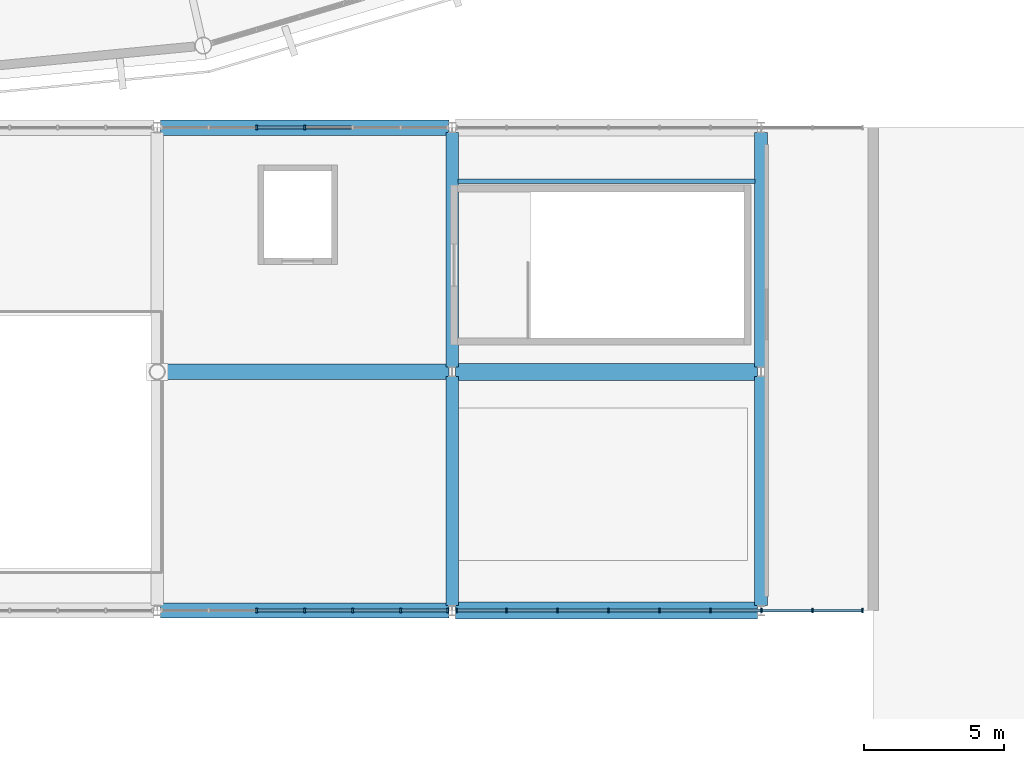
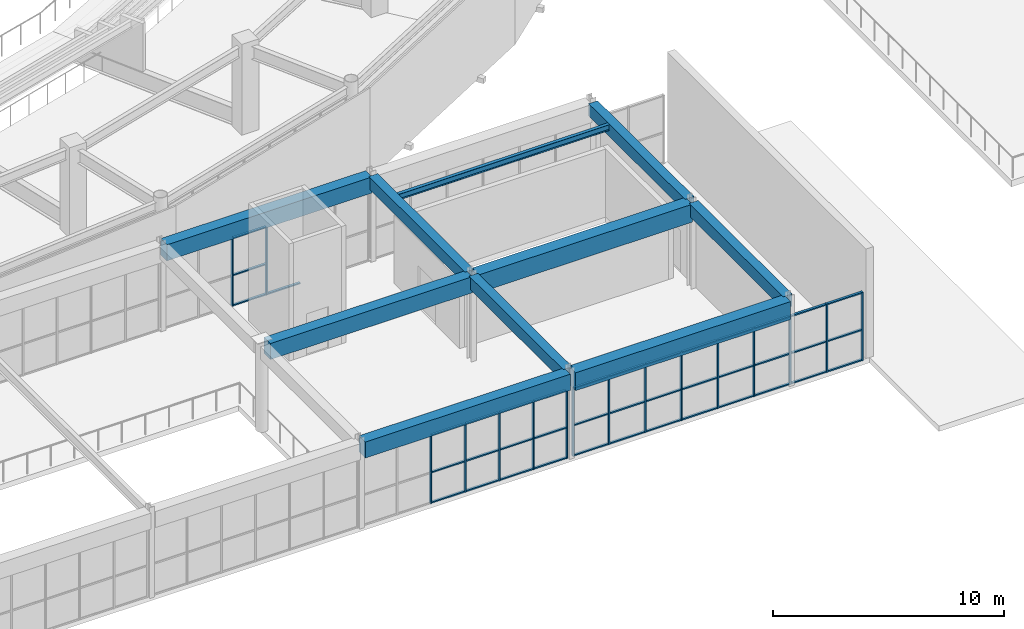
# One storey, part 35 of 122: 56 members, 10 beams, 3 elements without a shape of their own.
"""IFC4 building model written with IfcOpenShell, lengths in metres."""

import ifcopenshell
import ifcopenshell.guid

model = None  # the IFC model being written
_history = None  # IfcOwnerHistory: only IFC2X3 demands one
_inside = {}  # id of a spatial element -> (the spatial element, [elements in it])
_under = {}  # id of a project, library or spatial element -> (it, [spatial elements below it])
_declared = {}  # id of a project -> (the project, [libraries it declares])
_typed = {}  # id of a type object -> (the type object, [elements of that type])
_made_of = {}  # id of a material, layer set ... -> (it, [elements and type objects made of it])


def new_model(schema):
    """Start an empty IFC model of exactly this schema.

    Asked for "IFC4X3", IfcOpenShell would pick the latest addendum, in which some entities
    have other attributes; the version numbers below select the first issue.
    IFC2X3 requires an IfcOwnerHistory on every rooted entity: one is made here for all.
    """
    global model, _history
    if schema == "IFC4X3":
        model = ifcopenshell.file(schema_version=(4, 3, 0, 0))
    else:
        model = ifcopenshell.file(schema=schema)
    _inside.clear()
    _under.clear()
    _declared.clear()
    _typed.clear()
    _made_of.clear()
    _history = None
    if model.schema == "IFC2X3":
        org = make("IfcOrganization", Name="unknown")
        user = make(
            "IfcPersonAndOrganization",
            ThePerson=make("IfcPerson", FamilyName="unknown"),
            TheOrganization=org,
        )
        app = make(
            "IfcApplication",
            ApplicationDeveloper=org,
            Version="unknown",
            ApplicationFullName="unknown",
            ApplicationIdentifier="unknown",
        )
        _history = make(
            "IfcOwnerHistory",
            OwningUser=user,
            OwningApplication=app,
            ChangeAction="ADDED",
            CreationDate=0,
        )
    return model


def make(cls, **values):
    """One entity of the class cls with the attributes given. An attribute that is None is left unset."""
    return model.create_entity(
        cls, **{name: value for name, value in values.items() if value is not None}
    )


def rooted(cls, **values):
    """An entity with a GlobalId (a new one), such as an element, a storey or a relation."""
    return make(cls, GlobalId=ifcopenshell.guid.new(), OwnerHistory=_history, **values)


def si_unit(unit_type, name, prefix=None):
    """IfcSIUnit, for example si_unit("LENGTHUNIT", "METRE", prefix="MILLI")."""
    return make("IfcSIUnit", UnitType=unit_type, Prefix=prefix, Name=name)


def assignment(units):
    """IfcUnitAssignment: the units of a project."""
    return None if units is None else make("IfcUnitAssignment", Units=units)


def point(xyz):
    """IfcCartesianPoint."""
    return None if xyz is None else make("IfcCartesianPoint", Coordinates=xyz)


def direction(xyz):
    """IfcDirection."""
    return None if xyz is None else make("IfcDirection", DirectionRatios=xyz)


def frame(location, z_axis=None, x_axis=None):
    """IfcAxis2Placement3D, a coordinate frame: its origin and axes. An axis left out is left unset."""
    return make(
        "IfcAxis2Placement3D",
        Location=point(location),
        Axis=direction(z_axis),
        RefDirection=direction(x_axis),
    )


def frame_2d(location, x_axis=None):
    """IfcAxis2Placement2D, a coordinate frame in the plane: its origin and x axis."""
    return make(
        "IfcAxis2Placement2D", Location=point(location), RefDirection=direction(x_axis)
    )


def origin():
    """The frame at (0, 0, 0) with its axes left unset."""
    return frame((0.0, 0.0, 0.0))


def origin_2d():
    """The frame at (0, 0) in the plane with its x axis left unset."""
    return frame_2d((0.0, 0.0))


def place(relative_to, where):
    """IfcLocalPlacement: puts the frame where relative to a parent placement (None: the world)."""
    return make(
        "IfcLocalPlacement", PlacementRelTo=relative_to, RelativePlacement=where
    )


def context(
    kind, dimensions, precision=None, world=None, true_north=None, identifier=None
):
    """IfcGeometricRepresentationContext, for example the 3D "Model" context."""
    return make(
        "IfcGeometricRepresentationContext",
        ContextIdentifier=identifier,
        ContextType=kind,
        CoordinateSpaceDimension=dimensions,
        Precision=precision,
        WorldCoordinateSystem=world,
        TrueNorth=true_north,
    )


def subcontext(parent, identifier, kind, view, scale=None):
    """IfcGeometricRepresentationSubContext, for example "Body" below "Model"."""
    return make(
        "IfcGeometricRepresentationSubContext",
        ContextIdentifier=identifier,
        ContextType=kind,
        ParentContext=parent,
        TargetScale=scale,
        TargetView=view,
    )


def project(units=None, contexts=None):
    """IfcProject with its units and contexts."""
    return rooted(
        "IfcProject",
        Name="project",
        RepresentationContexts=contexts,
        UnitsInContext=assignment(units),
    )


def spatial(cls, under=None, at=None, **own):
    """A site, building, storey or space (cls), placed at a placement, below another one or the project."""
    s = rooted(cls, ObjectPlacement=at, **own)
    if under is not None:
        _under.setdefault(under.id(), (under, []))[1].append(s)
    return s


def profile(cls, at=None, kind="AREA", **sizes):
    """A parametric profile (cls). Its sizes go by their IFC names, for example OverallWidth=200.0."""
    return make(cls, ProfileType=kind, Position=at, **sizes)


def rectangle(**sizes):
    """IfcRectangleProfileDef."""
    return profile("IfcRectangleProfileDef", **sizes)


def i_section(**sizes):
    """IfcIShapeProfileDef."""
    return profile("IfcIShapeProfileDef", **sizes)


def extrude(swept, where, along, depth):
    """IfcExtrudedAreaSolid: the profile swept, set in the frame where, extruded along a direction by depth."""
    return make(
        "IfcExtrudedAreaSolid",
        SweptArea=swept,
        Position=where,
        ExtrudedDirection=direction(along),
        Depth=depth,
    )


def shape(context_of_items, identifier, shape_type, items):
    """IfcShapeRepresentation: the items that make up one representation, for example the "Body"."""
    return make(
        "IfcShapeRepresentation",
        ContextOfItems=context_of_items,
        RepresentationIdentifier=identifier,
        RepresentationType=shape_type,
        Items=items,
    )


def material(Name=None, Category=None):
    """IfcMaterial."""
    return make("IfcMaterial", Name=Name, Category=Category)


def material_profile(
    of_material, cross_section, Name=None, Category=None, Priority=None
):
    """IfcMaterialProfile: a cross section and its material."""
    return make(
        "IfcMaterialProfile",
        Name=Name,
        Material=of_material,
        Profile=cross_section,
        Priority=Priority,
        Category=Category,
    )


def profile_set(profiles, Name=None, composite=None):
    """IfcMaterialProfileSet."""
    return make(
        "IfcMaterialProfileSet",
        Name=Name,
        MaterialProfiles=profiles,
        CompositeProfile=composite,
    )


def made_of(thing, what):
    """Note that an element or type object is made of a material, layer set ...; save() writes the relation."""
    if what is not None:
        _made_of.setdefault(what.id(), (what, []))[1].append(thing)
    return thing


def type_object(cls, material=None, **own):
    """A type object (cls), such as IfcWallType, which elements share."""
    return made_of(rooted(cls, **own), material)


def element(
    cls,
    number,
    at=None,
    inside=None,
    cuts=None,
    type_object=None,
    material=None,
    context=None,
    identifier="Body",
    shape_type=None,
    held_by="IfcProductDefinitionShape",
    body=None,
    shapes=None,
    **own,
):
    """One element of the class cls, such as IfcWall. Its Tag is "e" and its number.

    at: its placement. inside: the storey or other place that contains it. cuts: it is an
    opening in that element (IfcRelVoidsElement). A single representation is given by context,
    identifier, shape_type and body (its items); several are given by shapes. held_by: the class
    of the entity that holds the representations. save() writes the other relations.
    """
    e = rooted(cls, Tag="e%d" % number, ObjectPlacement=at, **own)
    if body is not None:
        shapes = [shape(context, identifier, shape_type, body)]
    if shapes is not None:
        e.Representation = make(held_by, Representations=shapes)
    if inside is not None:
        _inside.setdefault(inside.id(), (inside, []))[1].append(e)
    if cuts is not None:
        rooted(
            "IfcRelVoidsElement", RelatingBuildingElement=cuts, RelatedOpeningElement=e
        )
    if type_object is not None:
        _typed.setdefault(type_object.id(), (type_object, []))[1].append(e)
    return made_of(e, material)


def aggregate(whole, parts):
    """IfcRelAggregates: a whole, such as a stair, and the parts it consists of."""
    return rooted("IfcRelAggregates", RelatingObject=whole, RelatedObjects=parts)


def save(model, path):
    """Write the relations noted so far, then the file.

    IfcRelAggregates (storeys below a building ...), IfcRelContainedInSpatialStructure (elements
    in a storey), IfcRelDefinesByType, IfcRelAssociatesMaterial and IfcRelDeclares: one each for
    every whole, place, type object, material and project.
    """
    for whole, parts in _under.values():
        aggregate(whole, parts)
    for where, things in _inside.values():
        rooted(
            "IfcRelContainedInSpatialStructure",
            RelatedElements=things,
            RelatingStructure=where,
        )
    for kind, things in _typed.values():
        rooted("IfcRelDefinesByType", RelatedObjects=things, RelatingType=kind)
    for what, things in _made_of.values():
        rooted("IfcRelAssociatesMaterial", RelatedObjects=things, RelatingMaterial=what)
    for by, libraries in _declared.values():
        rooted("IfcRelDeclares", RelatingContext=by, RelatedDefinitions=libraries)
    model.write(path)


model = new_model("IFC4")

# Units and contexts
model_context = context("Model", 3, precision=1e-05, world=origin(), true_north=direction((0.0, 1.0)))
body_context = subcontext(model_context, "Body", "Model", "MODEL_VIEW")
ifc_project = project(units=[si_unit("LENGTHUNIT", "METRE"), si_unit("AREAUNIT", "SQUARE_METRE"), si_unit("VOLUMEUNIT", "CUBIC_METRE"), si_unit("PLANEANGLEUNIT", "RADIAN"), si_unit("MASSUNIT", "GRAM", prefix="KILO")], contexts=[model_context])

# Site, building, storey
site_placement = place(None, origin())
site = spatial("IfcSite", under=ifc_project, at=site_placement, CompositionType="ELEMENT")
building_placement = place(site_placement, origin())
building = spatial("IfcBuilding", under=site, at=building_placement, Name="Cuetzalor Civic Arena", CompositionType="ELEMENT")
storey_placement = place(building_placement, frame((0.0, 0.0, 16.199951171875)))
storey = spatial("IfcBuildingStorey", under=building, at=storey_placement, Name="L03", CompositionType="ELEMENT", Elevation=16.199951171875)

# Beams
ifc_material_1 = material(Name="Concrete C40/50", Category="concrete")
ifc_material_profile_1 = material_profile(ifc_material_1, rectangle(XDim=0.550048828125, YDim=0.85009765625, at=origin_2d()), Name="RC 550x850")
ifc_profile_set_1 = profile_set([ifc_material_profile_1], Name="Concrete C40/50")
beam_type_1 = type_object("IfcBeamType", Name="ConcreteFrameBeam_550x850", PredefinedType="BEAM", material=ifc_profile_set_1)
beam_1_placement = place(storey_placement, frame((10.618408203125, -65.5, 4.155029296875), z_axis=(1.0, 0.0, 0.0), x_axis=(0.0, 1.0, 0.0)))
element("IfcBeam", 1, at=beam_1_placement, inside=storey, type_object=beam_type_1, Name="Frame Girder V3-L03-X0858", PredefinedType="BEAM", context=body_context, shape_type="SweptSolid", body=[
    extrude(rectangle(XDim=0.550048828125, YDim=0.85009765625, at=origin_2d()), origin(), (0.0, 0.0, 1.0), 10.26318359375),
])
beam_2_placement = place(storey_placement, frame((10.76953125, -57.0, 4.155029296875), z_axis=(1.0, 0.0, 0.0), x_axis=(0.0, 1.0, 0.0)))
element("IfcBeam", 2, at=beam_2_placement, inside=storey, type_object=beam_type_1, Name="Frame Girder V3-L03-X0862", PredefinedType="BEAM", context=body_context, shape_type="SweptSolid", body=[
    extrude(rectangle(XDim=0.550048828125, YDim=0.85009765625, at=origin_2d()), origin(), (0.0, 0.0, 1.0), 10.112060546875),
])
beam_3_placement = place(storey_placement, frame((10.618408203125, -48.300048828125, 4.155029296875), z_axis=(1.0, 0.0, 0.0), x_axis=(0.0, 1.0, 0.0)))
element("IfcBeam", 3, at=beam_3_placement, inside=storey, type_object=beam_type_1, Name="Frame Girder V3-L03-X0868", PredefinedType="BEAM", context=body_context, shape_type="SweptSolid", body=[
    extrude(rectangle(XDim=0.550048828125, YDim=0.85009765625, at=origin_2d()), origin(), (0.0, 0.0, 1.0), 10.26318359375),
])
ifc_material_2 = material(Name="Concrete C40/50", Category="concrete")
ifc_material_profile_2 = material_profile(ifc_material_2, rectangle(XDim=0.60009765625, YDim=0.949951171875, at=origin_2d()), Name="RC 600x950")
ifc_profile_set_2 = profile_set([ifc_material_profile_2], Name="Concrete C40/50")
beam_type_2 = type_object("IfcBeamType", Name="ConcreteFrameBeam_600x950", PredefinedType="BEAM", material=ifc_profile_set_2)
for number, where, z_axis, x_axis, name in (
    (4, (21.118408203125, -65.5, 4.10498046875), (1.0, 0.0, 0.0), (0.0, 1.0, 0.0), "Frame Girder V3-L03-X0859"),
    (5, (21.118408203125, -57.0, 4.10498046875), (1.0, 0.0, 0.0), (0.0, 1.0, 0.0), "Frame Girder V3-L03-X0863"),
):
    element("IfcBeam", number, at=place(storey_placement, frame(where, z_axis=z_axis, x_axis=x_axis)), inside=storey, type_object=beam_type_2, Name=name, PredefinedType="BEAM", context=body_context, shape_type="SweptSolid", body=[
        extrude(rectangle(XDim=0.60009765625, YDim=0.949951171875, at=origin_2d()), origin(), (0.0, 0.0, 1.0), 10.76318359375),
    ])
ifc_material_3 = material(Name="Concrete C40/50", Category="concrete")
ifc_material_profile_3 = material_profile(ifc_material_3, rectangle(XDim=0.449951171875, YDim=0.64990234375, at=origin_2d()), Name="RC 450x650")
ifc_profile_set_3 = profile_set([ifc_material_profile_3], Name="Concrete C40/50")
beam_type_3 = type_object("IfcBeamType", Name="ConcreteTieBeam_450x650", PredefinedType="BEAM", material=ifc_profile_set_3)
beam_4_placement = place(storey_placement, frame((21.0, -65.32861328125, 4.255126953125), z_axis=(0.0, 1.0, 0.0), x_axis=(-1.0, 0.0, 0.0)))
element("IfcBeam", 6, at=beam_4_placement, inside=storey, type_object=beam_type_3, Name="Frame Girder V3-L03-Y0879", PredefinedType="BEAM", context=body_context, shape_type="SweptSolid", body=[
    extrude(rectangle(XDim=0.449951171875, YDim=0.64990234375, at=origin_2d()), origin(), (0.0, 0.0, 1.0), 8.1572265625),
])
beam_5_placement = place(storey_placement, frame((21.0, -56.82861328125, 4.255126953125), z_axis=(0.0, 1.0, 0.0), x_axis=(-1.0, 0.0, 0.0)))
element("IfcBeam", 7, at=beam_5_placement, inside=storey, type_object=beam_type_3, Name="Frame Girder V3-L03-Y0880", PredefinedType="BEAM", context=body_context, shape_type="SweptSolid", body=[
    extrude(rectangle(XDim=0.449951171875, YDim=0.64990234375, at=origin_2d()), origin(), (0.0, 0.0, 1.0), 8.357177734375),
])
beam_6_placement = place(storey_placement, frame((32.0, -65.32861328125, 4.255126953125), z_axis=(0.0, 1.0, 0.0), x_axis=(-1.0, 0.0, 0.0)))
element("IfcBeam", 8, at=beam_6_placement, inside=storey, type_object=beam_type_3, Name="Frame Girder V3-L03-Y0881", PredefinedType="BEAM", context=body_context, shape_type="SweptSolid", body=[
    extrude(rectangle(XDim=0.449951171875, YDim=0.64990234375, at=origin_2d()), origin(), (0.0, 0.0, 1.0), 8.1572265625),
])
beam_7_placement = place(storey_placement, frame((32.0, -56.82861328125, 4.255126953125), z_axis=(0.0, 1.0, 0.0), x_axis=(-1.0, 0.0, 0.0)))
element("IfcBeam", 9, at=beam_7_placement, inside=storey, type_object=beam_type_3, Name="Frame Girder V3-L03-Y0882", PredefinedType="BEAM", context=body_context, shape_type="SweptSolid", body=[
    extrude(rectangle(XDim=0.449951171875, YDim=0.64990234375, at=origin_2d()), origin(), (0.0, 0.0, 1.0), 8.357177734375),
])

# Curtain wall, members
ifc_material_4 = material(Name="Anodised dark bronze aluminium and low-E solar glass", Category="aluminium")
curtain_wall_type_1 = type_object("IfcCurtainWallType", Name="StickCW_10250x3600", PredefinedType="USERDEFINED", material=ifc_material_4)
curtain_wall_1_placement = place(storey_placement, origin())
curtain_wall_1 = element("IfcCurtainWall", 10, at=curtain_wall_1_placement, inside=storey, type_object=curtain_wall_type_1, Name="Foyer Vault Clerestory Curtain Wall L03-099", ObjectType="STICK CURTAIN WALL", PredefinedType="USERDEFINED")
ifc_material_5 = material(Name="Anodised dark bronze aluminium", Category="aluminium")
ifc_material_profile_4 = material_profile(ifc_material_5, rectangle(XDim=0.06494140625, YDim=0.14990234375, at=origin_2d()), Name="ALU MULLION 65x150")
ifc_profile_set_4 = profile_set([ifc_material_profile_4], Name="Anodised dark bronze aluminium")
member_type_1 = type_object("IfcMemberType", Name="CurtainWallMullion_60x150", PredefinedType="MULLION", material=ifc_profile_set_4)
member_1_placement = place(storey_placement, frame((20.843017578125, -65.5, 0.0), z_axis=(0.0, 0.0, 1.0), x_axis=(-1.0, 0.0, 0.0)))
member_1 = element("IfcMember", 11, at=member_1_placement, type_object=member_type_1, Name="CW-29 mullion 1", PredefinedType="MULLION", context=body_context, shape_type="SweptSolid", body=[
    extrude(rectangle(XDim=0.06494140625, YDim=0.14990234375, at=origin_2d()), origin(), (0.0, 0.0, 1.0), 3.6201171875),
])
member_2_placement = place(storey_placement, frame((19.1669921875, -65.5, 0.0), z_axis=(0.0, 0.0, 1.0), x_axis=(-1.0, 0.0, 0.0)))
member_2 = element("IfcMember", 12, at=member_2_placement, type_object=member_type_1, Name="CW-29 mullion 2", PredefinedType="MULLION", context=body_context, shape_type="SweptSolid", body=[
    extrude(rectangle(XDim=0.06494140625, YDim=0.14990234375, at=origin_2d()), origin(), (0.0, 0.0, 1.0), 3.6201171875),
])
member_3_placement = place(storey_placement, frame((17.45849609375, -65.5, 0.0), z_axis=(0.0, 0.0, 1.0), x_axis=(-1.0, 0.0, 0.0)))
member_3 = element("IfcMember", 13, at=member_3_placement, type_object=member_type_1, Name="CW-29 mullion 3", PredefinedType="MULLION", context=body_context, shape_type="SweptSolid", body=[
    extrude(rectangle(XDim=0.06494140625, YDim=0.14990234375, at=origin_2d()), origin(), (0.0, 0.0, 1.0), 3.6201171875),
])
member_4_placement = place(storey_placement, frame((15.75, -65.5, 0.0), z_axis=(0.0, 0.0, 1.0), x_axis=(-1.0, 0.0, 0.0)))
member_4 = element("IfcMember", 14, at=member_4_placement, type_object=member_type_1, Name="CW-29 mullion 4", PredefinedType="MULLION", context=body_context, shape_type="SweptSolid", body=[
    extrude(rectangle(XDim=0.06494140625, YDim=0.14990234375, at=origin_2d()), origin(), (0.0, 0.0, 1.0), 3.6201171875),
])
member_5_placement = place(storey_placement, frame((14.04150390625, -65.5, 0.0), z_axis=(0.0, 0.0, 1.0), x_axis=(-1.0, 0.0, 0.0)))
member_5 = element("IfcMember", 15, at=member_5_placement, type_object=member_type_1, Name="CW-29 mullion 5", PredefinedType="MULLION", context=body_context, shape_type="SweptSolid", body=[
    extrude(rectangle(XDim=0.06494140625, YDim=0.14990234375, at=origin_2d()), origin(), (0.0, 0.0, 1.0), 3.6201171875),
])

curtain_wall_2_placement = place(storey_placement, origin())
curtain_wall_2 = element("IfcCurtainWall", 16, at=curtain_wall_2_placement, inside=storey, type_object=curtain_wall_type_1, Name="Foyer North Clerestory Curtain Wall L03-100", ObjectType="STICK CURTAIN WALL", PredefinedType="USERDEFINED")
member_6_placement = place(storey_placement, frame((14.04150390625, -48.300048828125, 0.0), z_axis=(0.0, 0.0, 1.0), x_axis=(1.0, 0.0, 0.0)))
member_6 = element("IfcMember", 17, at=member_6_placement, type_object=member_type_1, Name="CW-29 mullion 3", PredefinedType="MULLION", context=body_context, shape_type="SweptSolid", body=[
    extrude(rectangle(XDim=0.06494140625, YDim=0.14990234375, at=origin_2d()), origin(), (0.0, 0.0, 1.0), 3.6201171875),
])
member_7_placement = place(storey_placement, frame((15.75, -48.300048828125, 0.0), z_axis=(0.0, 0.0, 1.0), x_axis=(1.0, 0.0, 0.0)))
member_7 = element("IfcMember", 18, at=member_7_placement, type_object=member_type_1, Name="CW-29 mullion 4", PredefinedType="MULLION", context=body_context, shape_type="SweptSolid", body=[
    extrude(rectangle(XDim=0.06494140625, YDim=0.14990234375, at=origin_2d()), origin(), (0.0, 0.0, 1.0), 3.6201171875),
])

ifc_material_6 = material(Name="Anodised dark bronze aluminium and low-E solar glass", Category="aluminium")
curtain_wall_type_2 = type_object("IfcCurtainWallType", Name="StickCW_14550x3600", PredefinedType="USERDEFINED", material=ifc_material_6)
curtain_wall_3_placement = place(storey_placement, origin())
curtain_wall_3 = element("IfcCurtainWall", 19, at=curtain_wall_3_placement, inside=storey, type_object=curtain_wall_type_2, Name="Foyer Vault Clerestory Curtain Wall L03-101", ObjectType="STICK CURTAIN WALL", PredefinedType="USERDEFINED")
member_8_placement = place(storey_placement, frame((35.617431640625, -65.5, 0.0), z_axis=(0.0, 0.0, 1.0), x_axis=(-1.0, 0.0, 0.0)))
member_8 = element("IfcMember", 20, at=member_8_placement, type_object=member_type_1, Name="CW-28 mullion 1", PredefinedType="MULLION", context=body_context, shape_type="SweptSolid", body=[
    extrude(rectangle(XDim=0.06494140625, YDim=0.14990234375, at=origin_2d()), origin(), (0.0, 0.0, 1.0), 3.6201171875),
])
member_9_placement = place(storey_placement, frame((33.834228515625, -65.5, 0.0), z_axis=(0.0, 0.0, 1.0), x_axis=(-1.0, 0.0, 0.0)))
member_9 = element("IfcMember", 21, at=member_9_placement, type_object=member_type_1, Name="CW-28 mullion 2", PredefinedType="MULLION", context=body_context, shape_type="SweptSolid", body=[
    extrude(rectangle(XDim=0.06494140625, YDim=0.14990234375, at=origin_2d()), origin(), (0.0, 0.0, 1.0), 3.6201171875),
])
member_10_placement = place(storey_placement, frame((32.0185546875, -65.5, 0.0), z_axis=(0.0, 0.0, 1.0), x_axis=(-1.0, 0.0, 0.0)))
member_10 = element("IfcMember", 22, at=member_10_placement, type_object=member_type_1, Name="CW-28 mullion 3", PredefinedType="MULLION", context=body_context, shape_type="SweptSolid", body=[
    extrude(rectangle(XDim=0.06494140625, YDim=0.14990234375, at=origin_2d()), origin(), (0.0, 0.0, 1.0), 3.6201171875),
])
member_11_placement = place(storey_placement, frame((30.202880859375, -65.5, 0.0), z_axis=(0.0, 0.0, 1.0), x_axis=(-1.0, 0.0, 0.0)))
member_11 = element("IfcMember", 23, at=member_11_placement, type_object=member_type_1, Name="CW-28 mullion 4", PredefinedType="MULLION", context=body_context, shape_type="SweptSolid", body=[
    extrude(rectangle(XDim=0.06494140625, YDim=0.14990234375, at=origin_2d()), origin(), (0.0, 0.0, 1.0), 3.6201171875),
])
member_12_placement = place(storey_placement, frame((28.38720703125, -65.5, 0.0), z_axis=(0.0, 0.0, 1.0), x_axis=(-1.0, 0.0, 0.0)))
member_12 = element("IfcMember", 24, at=member_12_placement, type_object=member_type_1, Name="CW-28 mullion 5", PredefinedType="MULLION", context=body_context, shape_type="SweptSolid", body=[
    extrude(rectangle(XDim=0.06494140625, YDim=0.14990234375, at=origin_2d()), origin(), (0.0, 0.0, 1.0), 3.6201171875),
])
member_13_placement = place(storey_placement, frame((26.571533203125, -65.5, 0.0), z_axis=(0.0, 0.0, 1.0), x_axis=(-1.0, 0.0, 0.0)))
member_13 = element("IfcMember", 25, at=member_13_placement, type_object=member_type_1, Name="CW-28 mullion 6", PredefinedType="MULLION", context=body_context, shape_type="SweptSolid", body=[
    extrude(rectangle(XDim=0.06494140625, YDim=0.14990234375, at=origin_2d()), origin(), (0.0, 0.0, 1.0), 3.6201171875),
])
member_14_placement = place(storey_placement, frame((24.755859375, -65.5, 0.0), z_axis=(0.0, 0.0, 1.0), x_axis=(-1.0, 0.0, 0.0)))
member_14 = element("IfcMember", 26, at=member_14_placement, type_object=member_type_1, Name="CW-28 mullion 7", PredefinedType="MULLION", context=body_context, shape_type="SweptSolid", body=[
    extrude(rectangle(XDim=0.06494140625, YDim=0.14990234375, at=origin_2d()), origin(), (0.0, 0.0, 1.0), 3.6201171875),
])
member_15_placement = place(storey_placement, frame((22.940185546875, -65.5, 0.0), z_axis=(0.0, 0.0, 1.0), x_axis=(-1.0, 0.0, 0.0)))
member_15 = element("IfcMember", 27, at=member_15_placement, type_object=member_type_1, Name="CW-28 mullion 8", PredefinedType="MULLION", context=body_context, shape_type="SweptSolid", body=[
    extrude(rectangle(XDim=0.06494140625, YDim=0.14990234375, at=origin_2d()), origin(), (0.0, 0.0, 1.0), 3.6201171875),
])
member_16_placement = place(storey_placement, frame((21.156982421875, -65.5, 0.0), z_axis=(0.0, 0.0, 1.0), x_axis=(-1.0, 0.0, 0.0)))
member_16 = element("IfcMember", 28, at=member_16_placement, type_object=member_type_1, Name="CW-28 mullion 9", PredefinedType="MULLION", context=body_context, shape_type="SweptSolid", body=[
    extrude(rectangle(XDim=0.06494140625, YDim=0.14990234375, at=origin_2d()), origin(), (0.0, 0.0, 1.0), 3.6201171875),
])

# Member
ifc_material_7 = material(Name="Anodised dark bronze aluminium", Category="aluminium")
ifc_material_profile_5 = material_profile(ifc_material_7, rectangle(XDim=0.1201171875, YDim=0.06494140625, at=origin_2d()), Name="ALU TRANSOM 65x120")
ifc_profile_set_5 = profile_set([ifc_material_profile_5], Name="Anodised dark bronze aluminium")
member_type_2 = type_object("IfcMemberType", Name="CurtainWallTransom_60x120", PredefinedType="USERDEFINED", material=ifc_profile_set_5)
member_17_placement = place(storey_placement, frame((20.810546875, -65.5, 0.032470703125), z_axis=(-1.0, 0.0, 0.0), x_axis=(0.0, -1.0, 0.0)))
member_17 = element("IfcMember", 29, at=member_17_placement, type_object=member_type_2, Name="CW-29 transom 1.1", ObjectType="TRANSOM", PredefinedType="USERDEFINED", context=body_context, shape_type="SweptSolid", body=[
    extrude(rectangle(XDim=0.1201171875, YDim=0.06494140625, at=origin_2d()), origin(), (0.0, 0.0, 1.0), 1.611083984375),
])

member_18_placement = place(storey_placement, frame((20.810546875, -65.5, 1.629150390625), z_axis=(-1.0, 0.0, 0.0), x_axis=(0.0, -1.0, 0.0)))
member_18 = element("IfcMember", 30, at=member_18_placement, type_object=member_type_2, Name="CW-29 transom 1.2", ObjectType="TRANSOM", PredefinedType="USERDEFINED", context=body_context, shape_type="SweptSolid", body=[
    extrude(rectangle(XDim=0.1201171875, YDim=0.06494140625, at=origin_2d()), origin(), (0.0, 0.0, 1.0), 1.611083984375),
])

member_19_placement = place(storey_placement, frame((20.810546875, -65.5, 3.587646484375), z_axis=(-1.0, 0.0, 0.0), x_axis=(0.0, -1.0, 0.0)))
member_19 = element("IfcMember", 31, at=member_19_placement, type_object=member_type_2, Name="CW-29 transom 1.3", ObjectType="TRANSOM", PredefinedType="USERDEFINED", context=body_context, shape_type="SweptSolid", body=[
    extrude(rectangle(XDim=0.1201171875, YDim=0.06494140625, at=origin_2d()), origin(), (0.0, 0.0, 1.0), 1.611083984375),
])

member_20_placement = place(storey_placement, frame((19.134521484375, -65.5, 0.032470703125), z_axis=(-1.0, 0.0, 0.0), x_axis=(0.0, -1.0, 0.0)))
member_20 = element("IfcMember", 32, at=member_20_placement, type_object=member_type_2, Name="CW-29 transom 2.1", ObjectType="TRANSOM", PredefinedType="USERDEFINED", context=body_context, shape_type="SweptSolid", body=[
    extrude(rectangle(XDim=0.1201171875, YDim=0.06494140625, at=origin_2d()), origin(), (0.0, 0.0, 1.0), 1.6435546875),
])

member_21_placement = place(storey_placement, frame((19.134521484375, -65.5, 1.629150390625), z_axis=(-1.0, 0.0, 0.0), x_axis=(0.0, -1.0, 0.0)))
member_21 = element("IfcMember", 33, at=member_21_placement, type_object=member_type_2, Name="CW-29 transom 2.2", ObjectType="TRANSOM", PredefinedType="USERDEFINED", context=body_context, shape_type="SweptSolid", body=[
    extrude(rectangle(XDim=0.1201171875, YDim=0.06494140625, at=origin_2d()), origin(), (0.0, 0.0, 1.0), 1.6435546875),
])

member_22_placement = place(storey_placement, frame((19.134521484375, -65.5, 3.587646484375), z_axis=(-1.0, 0.0, 0.0), x_axis=(0.0, -1.0, 0.0)))
member_22 = element("IfcMember", 34, at=member_22_placement, type_object=member_type_2, Name="CW-29 transom 2.3", ObjectType="TRANSOM", PredefinedType="USERDEFINED", context=body_context, shape_type="SweptSolid", body=[
    extrude(rectangle(XDim=0.1201171875, YDim=0.06494140625, at=origin_2d()), origin(), (0.0, 0.0, 1.0), 1.6435546875),
])

member_23_placement = place(storey_placement, frame((17.426025390625, -65.5, 0.032470703125), z_axis=(-1.0, 0.0, 0.0), x_axis=(0.0, -1.0, 0.0)))
member_23 = element("IfcMember", 35, at=member_23_placement, type_object=member_type_2, Name="CW-29 transom 3.1", ObjectType="TRANSOM", PredefinedType="USERDEFINED", context=body_context, shape_type="SweptSolid", body=[
    extrude(rectangle(XDim=0.1201171875, YDim=0.06494140625, at=origin_2d()), origin(), (0.0, 0.0, 1.0), 1.6435546875),
])

member_24_placement = place(storey_placement, frame((17.426025390625, -65.5, 1.629150390625), z_axis=(-1.0, 0.0, 0.0), x_axis=(0.0, -1.0, 0.0)))
member_24 = element("IfcMember", 36, at=member_24_placement, type_object=member_type_2, Name="CW-29 transom 3.2", ObjectType="TRANSOM", PredefinedType="USERDEFINED", context=body_context, shape_type="SweptSolid", body=[
    extrude(rectangle(XDim=0.1201171875, YDim=0.06494140625, at=origin_2d()), origin(), (0.0, 0.0, 1.0), 1.6435546875),
])

member_25_placement = place(storey_placement, frame((17.426025390625, -65.5, 3.587646484375), z_axis=(-1.0, 0.0, 0.0), x_axis=(0.0, -1.0, 0.0)))
member_25 = element("IfcMember", 37, at=member_25_placement, type_object=member_type_2, Name="CW-29 transom 3.3", ObjectType="TRANSOM", PredefinedType="USERDEFINED", context=body_context, shape_type="SweptSolid", body=[
    extrude(rectangle(XDim=0.1201171875, YDim=0.06494140625, at=origin_2d()), origin(), (0.0, 0.0, 1.0), 1.6435546875),
])

member_26_placement = place(storey_placement, frame((15.717529296875, -65.5, 0.032470703125), z_axis=(-1.0, 0.0, 0.0), x_axis=(0.0, -1.0, 0.0)))
member_26 = element("IfcMember", 38, at=member_26_placement, type_object=member_type_2, Name="CW-29 transom 4.1", ObjectType="TRANSOM", PredefinedType="USERDEFINED", context=body_context, shape_type="SweptSolid", body=[
    extrude(rectangle(XDim=0.1201171875, YDim=0.06494140625, at=origin_2d()), origin(), (0.0, 0.0, 1.0), 1.6435546875),
])

member_27_placement = place(storey_placement, frame((15.717529296875, -65.5, 1.629150390625), z_axis=(-1.0, 0.0, 0.0), x_axis=(0.0, -1.0, 0.0)))
member_27 = element("IfcMember", 39, at=member_27_placement, type_object=member_type_2, Name="CW-29 transom 4.2", ObjectType="TRANSOM", PredefinedType="USERDEFINED", context=body_context, shape_type="SweptSolid", body=[
    extrude(rectangle(XDim=0.1201171875, YDim=0.06494140625, at=origin_2d()), origin(), (0.0, 0.0, 1.0), 1.6435546875),
])

member_28_placement = place(storey_placement, frame((15.717529296875, -65.5, 3.587646484375), z_axis=(-1.0, 0.0, 0.0), x_axis=(0.0, -1.0, 0.0)))
member_28 = element("IfcMember", 40, at=member_28_placement, type_object=member_type_2, Name="CW-29 transom 4.3", ObjectType="TRANSOM", PredefinedType="USERDEFINED", context=body_context, shape_type="SweptSolid", body=[
    extrude(rectangle(XDim=0.1201171875, YDim=0.06494140625, at=origin_2d()), origin(), (0.0, 0.0, 1.0), 1.6435546875),
])

aggregate(curtain_wall_1, [member_1, member_2, member_3, member_4, member_5, member_17, member_18, member_19, member_20, member_21, member_22, member_23, member_24, member_25, member_26, member_27, member_28])

member_29_placement = place(storey_placement, frame((14.073974609375, -48.300048828125, 0.032470703125), z_axis=(1.0, 0.0, 0.0), x_axis=(0.0, 1.0, 0.0)))
member_29 = element("IfcMember", 41, at=member_29_placement, type_object=member_type_2, Name="CW-29 transom 3.1", ObjectType="TRANSOM", PredefinedType="USERDEFINED", context=body_context, shape_type="SweptSolid", body=[
    extrude(rectangle(XDim=0.1201171875, YDim=0.06494140625, at=origin_2d()), origin(), (0.0, 0.0, 1.0), 1.6435546875),
])

member_30_placement = place(storey_placement, frame((14.073974609375, -48.300048828125, 1.629150390625), z_axis=(1.0, 0.0, 0.0), x_axis=(0.0, 1.0, 0.0)))
member_30 = element("IfcMember", 42, at=member_30_placement, type_object=member_type_2, Name="CW-29 transom 3.2", ObjectType="TRANSOM", PredefinedType="USERDEFINED", context=body_context, shape_type="SweptSolid", body=[
    extrude(rectangle(XDim=0.1201171875, YDim=0.06494140625, at=origin_2d()), origin(), (0.0, 0.0, 1.0), 1.6435546875),
])

member_31_placement = place(storey_placement, frame((14.073974609375, -48.300048828125, 3.587646484375), z_axis=(1.0, 0.0, 0.0), x_axis=(0.0, 1.0, 0.0)))
member_31 = element("IfcMember", 43, at=member_31_placement, type_object=member_type_2, Name="CW-29 transom 3.3", ObjectType="TRANSOM", PredefinedType="USERDEFINED", context=body_context, shape_type="SweptSolid", body=[
    extrude(rectangle(XDim=0.1201171875, YDim=0.06494140625, at=origin_2d()), origin(), (0.0, 0.0, 1.0), 1.6435546875),
])

member_32_placement = place(storey_placement, frame((15.782470703125, -48.300048828125, 0.032470703125), z_axis=(1.0, 0.0, 0.0), x_axis=(0.0, 1.0, 0.0)))
member_32 = element("IfcMember", 44, at=member_32_placement, type_object=member_type_2, Name="CW-29 transom 4.1", ObjectType="TRANSOM", PredefinedType="USERDEFINED", context=body_context, shape_type="SweptSolid", body=[
    extrude(rectangle(XDim=0.1201171875, YDim=0.06494140625, at=origin_2d()), origin(), (0.0, 0.0, 1.0), 1.6435546875),
])

aggregate(curtain_wall_2, [member_6, member_7, member_29, member_30, member_31, member_32])

member_33_placement = place(storey_placement, frame((35.5849609375, -65.5, 0.032470703125), z_axis=(-1.0, 0.0, 0.0), x_axis=(0.0, -1.0, 0.0)))
member_33 = element("IfcMember", 45, at=member_33_placement, type_object=member_type_2, Name="CW-28 transom 1.1", ObjectType="TRANSOM", PredefinedType="USERDEFINED", context=body_context, shape_type="SweptSolid", body=[
    extrude(rectangle(XDim=0.1201171875, YDim=0.06494140625, at=origin_2d()), origin(), (0.0, 0.0, 1.0), 1.71826171875),
])

member_34_placement = place(storey_placement, frame((35.5849609375, -65.5, 1.629150390625), z_axis=(-1.0, 0.0, 0.0), x_axis=(0.0, -1.0, 0.0)))
member_34 = element("IfcMember", 46, at=member_34_placement, type_object=member_type_2, Name="CW-28 transom 1.2", ObjectType="TRANSOM", PredefinedType="USERDEFINED", context=body_context, shape_type="SweptSolid", body=[
    extrude(rectangle(XDim=0.1201171875, YDim=0.06494140625, at=origin_2d()), origin(), (0.0, 0.0, 1.0), 1.71826171875),
])

member_35_placement = place(storey_placement, frame((35.5849609375, -65.5, 3.587646484375), z_axis=(-1.0, 0.0, 0.0), x_axis=(0.0, -1.0, 0.0)))
member_35 = element("IfcMember", 47, at=member_35_placement, type_object=member_type_2, Name="CW-28 transom 1.3", ObjectType="TRANSOM", PredefinedType="USERDEFINED", context=body_context, shape_type="SweptSolid", body=[
    extrude(rectangle(XDim=0.1201171875, YDim=0.06494140625, at=origin_2d()), origin(), (0.0, 0.0, 1.0), 1.71826171875),
])

member_36_placement = place(storey_placement, frame((33.8017578125, -65.5, 0.032470703125), z_axis=(-1.0, 0.0, 0.0), x_axis=(0.0, -1.0, 0.0)))
member_36 = element("IfcMember", 48, at=member_36_placement, type_object=member_type_2, Name="CW-28 transom 2.1", ObjectType="TRANSOM", PredefinedType="USERDEFINED", context=body_context, shape_type="SweptSolid", body=[
    extrude(rectangle(XDim=0.1201171875, YDim=0.06494140625, at=origin_2d()), origin(), (0.0, 0.0, 1.0), 1.750732421875),
])

member_37_placement = place(storey_placement, frame((33.8017578125, -65.5, 1.629150390625), z_axis=(-1.0, 0.0, 0.0), x_axis=(0.0, -1.0, 0.0)))
member_37 = element("IfcMember", 49, at=member_37_placement, type_object=member_type_2, Name="CW-28 transom 2.2", ObjectType="TRANSOM", PredefinedType="USERDEFINED", context=body_context, shape_type="SweptSolid", body=[
    extrude(rectangle(XDim=0.1201171875, YDim=0.06494140625, at=origin_2d()), origin(), (0.0, 0.0, 1.0), 1.750732421875),
])

member_38_placement = place(storey_placement, frame((33.8017578125, -65.5, 3.587646484375), z_axis=(-1.0, 0.0, 0.0), x_axis=(0.0, -1.0, 0.0)))
member_38 = element("IfcMember", 50, at=member_38_placement, type_object=member_type_2, Name="CW-28 transom 2.3", ObjectType="TRANSOM", PredefinedType="USERDEFINED", context=body_context, shape_type="SweptSolid", body=[
    extrude(rectangle(XDim=0.1201171875, YDim=0.06494140625, at=origin_2d()), origin(), (0.0, 0.0, 1.0), 1.750732421875),
])

member_39_placement = place(storey_placement, frame((31.986083984375, -65.5, 0.032470703125), z_axis=(-1.0, 0.0, 0.0), x_axis=(0.0, -1.0, 0.0)))
member_39 = element("IfcMember", 51, at=member_39_placement, type_object=member_type_2, Name="CW-28 transom 3.1", ObjectType="TRANSOM", PredefinedType="USERDEFINED", context=body_context, shape_type="SweptSolid", body=[
    extrude(rectangle(XDim=0.1201171875, YDim=0.06494140625, at=origin_2d()), origin(), (0.0, 0.0, 1.0), 1.750732421875),
])

member_40_placement = place(storey_placement, frame((31.986083984375, -65.5, 1.629150390625), z_axis=(-1.0, 0.0, 0.0), x_axis=(0.0, -1.0, 0.0)))
member_40 = element("IfcMember", 52, at=member_40_placement, type_object=member_type_2, Name="CW-28 transom 3.2", ObjectType="TRANSOM", PredefinedType="USERDEFINED", context=body_context, shape_type="SweptSolid", body=[
    extrude(rectangle(XDim=0.1201171875, YDim=0.06494140625, at=origin_2d()), origin(), (0.0, 0.0, 1.0), 1.750732421875),
])

member_41_placement = place(storey_placement, frame((31.986083984375, -65.5, 3.587646484375), z_axis=(-1.0, 0.0, 0.0), x_axis=(0.0, -1.0, 0.0)))
member_41 = element("IfcMember", 53, at=member_41_placement, type_object=member_type_2, Name="CW-28 transom 3.3", ObjectType="TRANSOM", PredefinedType="USERDEFINED", context=body_context, shape_type="SweptSolid", body=[
    extrude(rectangle(XDim=0.1201171875, YDim=0.06494140625, at=origin_2d()), origin(), (0.0, 0.0, 1.0), 1.750732421875),
])

member_42_placement = place(storey_placement, frame((30.17041015625, -65.5, 0.032470703125), z_axis=(-1.0, 0.0, 0.0), x_axis=(0.0, -1.0, 0.0)))
member_42 = element("IfcMember", 54, at=member_42_placement, type_object=member_type_2, Name="CW-28 transom 4.1", ObjectType="TRANSOM", PredefinedType="USERDEFINED", context=body_context, shape_type="SweptSolid", body=[
    extrude(rectangle(XDim=0.1201171875, YDim=0.06494140625, at=origin_2d()), origin(), (0.0, 0.0, 1.0), 1.750732421875),
])

member_43_placement = place(storey_placement, frame((30.17041015625, -65.5, 1.629150390625), z_axis=(-1.0, 0.0, 0.0), x_axis=(0.0, -1.0, 0.0)))
member_43 = element("IfcMember", 55, at=member_43_placement, type_object=member_type_2, Name="CW-28 transom 4.2", ObjectType="TRANSOM", PredefinedType="USERDEFINED", context=body_context, shape_type="SweptSolid", body=[
    extrude(rectangle(XDim=0.1201171875, YDim=0.06494140625, at=origin_2d()), origin(), (0.0, 0.0, 1.0), 1.750732421875),
])

member_44_placement = place(storey_placement, frame((30.17041015625, -65.5, 3.587646484375), z_axis=(-1.0, 0.0, 0.0), x_axis=(0.0, -1.0, 0.0)))
member_44 = element("IfcMember", 56, at=member_44_placement, type_object=member_type_2, Name="CW-28 transom 4.3", ObjectType="TRANSOM", PredefinedType="USERDEFINED", context=body_context, shape_type="SweptSolid", body=[
    extrude(rectangle(XDim=0.1201171875, YDim=0.06494140625, at=origin_2d()), origin(), (0.0, 0.0, 1.0), 1.750732421875),
])

member_45_placement = place(storey_placement, frame((28.354736328125, -65.5, 0.032470703125), z_axis=(-1.0, 0.0, 0.0), x_axis=(0.0, -1.0, 0.0)))
member_45 = element("IfcMember", 57, at=member_45_placement, type_object=member_type_2, Name="CW-28 transom 5.1", ObjectType="TRANSOM", PredefinedType="USERDEFINED", context=body_context, shape_type="SweptSolid", body=[
    extrude(rectangle(XDim=0.1201171875, YDim=0.06494140625, at=origin_2d()), origin(), (0.0, 0.0, 1.0), 1.750732421875),
])

member_46_placement = place(storey_placement, frame((28.354736328125, -65.5, 1.629150390625), z_axis=(-1.0, 0.0, 0.0), x_axis=(0.0, -1.0, 0.0)))
member_46 = element("IfcMember", 58, at=member_46_placement, type_object=member_type_2, Name="CW-28 transom 5.2", ObjectType="TRANSOM", PredefinedType="USERDEFINED", context=body_context, shape_type="SweptSolid", body=[
    extrude(rectangle(XDim=0.1201171875, YDim=0.06494140625, at=origin_2d()), origin(), (0.0, 0.0, 1.0), 1.750732421875),
])

member_47_placement = place(storey_placement, frame((28.354736328125, -65.5, 3.587646484375), z_axis=(-1.0, 0.0, 0.0), x_axis=(0.0, -1.0, 0.0)))
member_47 = element("IfcMember", 59, at=member_47_placement, type_object=member_type_2, Name="CW-28 transom 5.3", ObjectType="TRANSOM", PredefinedType="USERDEFINED", context=body_context, shape_type="SweptSolid", body=[
    extrude(rectangle(XDim=0.1201171875, YDim=0.06494140625, at=origin_2d()), origin(), (0.0, 0.0, 1.0), 1.750732421875),
])

member_48_placement = place(storey_placement, frame((26.5390625, -65.5, 0.032470703125), z_axis=(-1.0, 0.0, 0.0), x_axis=(0.0, -1.0, 0.0)))
member_48 = element("IfcMember", 60, at=member_48_placement, type_object=member_type_2, Name="CW-28 transom 6.1", ObjectType="TRANSOM", PredefinedType="USERDEFINED", context=body_context, shape_type="SweptSolid", body=[
    extrude(rectangle(XDim=0.1201171875, YDim=0.06494140625, at=origin_2d()), origin(), (0.0, 0.0, 1.0), 1.750732421875),
])

member_49_placement = place(storey_placement, frame((26.5390625, -65.5, 1.629150390625), z_axis=(-1.0, 0.0, 0.0), x_axis=(0.0, -1.0, 0.0)))
member_49 = element("IfcMember", 61, at=member_49_placement, type_object=member_type_2, Name="CW-28 transom 6.2", ObjectType="TRANSOM", PredefinedType="USERDEFINED", context=body_context, shape_type="SweptSolid", body=[
    extrude(rectangle(XDim=0.1201171875, YDim=0.06494140625, at=origin_2d()), origin(), (0.0, 0.0, 1.0), 1.750732421875),
])

member_50_placement = place(storey_placement, frame((26.5390625, -65.5, 3.587646484375), z_axis=(-1.0, 0.0, 0.0), x_axis=(0.0, -1.0, 0.0)))
member_50 = element("IfcMember", 62, at=member_50_placement, type_object=member_type_2, Name="CW-28 transom 6.3", ObjectType="TRANSOM", PredefinedType="USERDEFINED", context=body_context, shape_type="SweptSolid", body=[
    extrude(rectangle(XDim=0.1201171875, YDim=0.06494140625, at=origin_2d()), origin(), (0.0, 0.0, 1.0), 1.750732421875),
])

member_51_placement = place(storey_placement, frame((24.723388671875, -65.5, 0.032470703125), z_axis=(-1.0, 0.0, 0.0), x_axis=(0.0, -1.0, 0.0)))
member_51 = element("IfcMember", 63, at=member_51_placement, type_object=member_type_2, Name="CW-28 transom 7.1", ObjectType="TRANSOM", PredefinedType="USERDEFINED", context=body_context, shape_type="SweptSolid", body=[
    extrude(rectangle(XDim=0.1201171875, YDim=0.06494140625, at=origin_2d()), origin(), (0.0, 0.0, 1.0), 1.750732421875),
])

member_52_placement = place(storey_placement, frame((24.723388671875, -65.5, 1.629150390625), z_axis=(-1.0, 0.0, 0.0), x_axis=(0.0, -1.0, 0.0)))
member_52 = element("IfcMember", 64, at=member_52_placement, type_object=member_type_2, Name="CW-28 transom 7.2", ObjectType="TRANSOM", PredefinedType="USERDEFINED", context=body_context, shape_type="SweptSolid", body=[
    extrude(rectangle(XDim=0.1201171875, YDim=0.06494140625, at=origin_2d()), origin(), (0.0, 0.0, 1.0), 1.750732421875),
])

member_53_placement = place(storey_placement, frame((24.723388671875, -65.5, 3.587646484375), z_axis=(-1.0, 0.0, 0.0), x_axis=(0.0, -1.0, 0.0)))
member_53 = element("IfcMember", 65, at=member_53_placement, type_object=member_type_2, Name="CW-28 transom 7.3", ObjectType="TRANSOM", PredefinedType="USERDEFINED", context=body_context, shape_type="SweptSolid", body=[
    extrude(rectangle(XDim=0.1201171875, YDim=0.06494140625, at=origin_2d()), origin(), (0.0, 0.0, 1.0), 1.750732421875),
])

member_54_placement = place(storey_placement, frame((22.90771484375, -65.5, 0.032470703125), z_axis=(-1.0, 0.0, 0.0), x_axis=(0.0, -1.0, 0.0)))
member_54 = element("IfcMember", 66, at=member_54_placement, type_object=member_type_2, Name="CW-28 transom 8.1", ObjectType="TRANSOM", PredefinedType="USERDEFINED", context=body_context, shape_type="SweptSolid", body=[
    extrude(rectangle(XDim=0.1201171875, YDim=0.06494140625, at=origin_2d()), origin(), (0.0, 0.0, 1.0), 1.71826171875),
])

member_55_placement = place(storey_placement, frame((22.90771484375, -65.5, 1.629150390625), z_axis=(-1.0, 0.0, 0.0), x_axis=(0.0, -1.0, 0.0)))
member_55 = element("IfcMember", 67, at=member_55_placement, type_object=member_type_2, Name="CW-28 transom 8.2", ObjectType="TRANSOM", PredefinedType="USERDEFINED", context=body_context, shape_type="SweptSolid", body=[
    extrude(rectangle(XDim=0.1201171875, YDim=0.06494140625, at=origin_2d()), origin(), (0.0, 0.0, 1.0), 1.71826171875),
])

member_56_placement = place(storey_placement, frame((22.90771484375, -65.5, 3.587646484375), z_axis=(-1.0, 0.0, 0.0), x_axis=(0.0, -1.0, 0.0)))
member_56 = element("IfcMember", 68, at=member_56_placement, type_object=member_type_2, Name="CW-28 transom 8.3", ObjectType="TRANSOM", PredefinedType="USERDEFINED", context=body_context, shape_type="SweptSolid", body=[
    extrude(rectangle(XDim=0.1201171875, YDim=0.06494140625, at=origin_2d()), origin(), (0.0, 0.0, 1.0), 1.71826171875),
])

aggregate(curtain_wall_3, [member_8, member_9, member_10, member_11, member_12, member_13, member_14, member_15, member_16, member_33, member_34, member_35, member_36, member_37, member_38, member_39, member_40, member_41, member_42, member_43, member_44, member_45, member_46, member_47, member_48, member_49, member_50, member_51, member_52, member_53, member_54, member_55, member_56])

# Beam
ifc_material_8 = material(Name="Steel S355", Category="steel")
ifc_material_profile_6 = material_profile(ifc_material_8, i_section(OverallWidth=0.166015625, OverallDepth=0.31298828125, WebThickness=0.006591796875, FlangeThickness=0.01123046875, at=origin_2d()), Name="W310x45")
ifc_profile_set_6 = profile_set([ifc_material_profile_6], Name="Steel S355")
beam_type_4 = type_object("IfcBeamType", Name="SecondaryRoofJoist_W310", PredefinedType="JOIST", material=ifc_profile_set_6)
beam_8_placement = place(storey_placement, frame((21.217041015625, -50.214111328125, 4.423583984375), z_axis=(1.0, 0.0, 0.0), x_axis=(0.0, 1.0, 0.0)))
element("IfcBeam", 69, at=beam_8_placement, inside=storey, type_object=beam_type_4, Name="Secondary Floor Joist V3-L03-0266", PredefinedType="JOIST", context=body_context, shape_type="SweptSolid", body=[
    extrude(i_section(OverallWidth=0.166015625, OverallDepth=0.31298828125, WebThickness=0.006591796875, FlangeThickness=0.01123046875, at=origin_2d()), origin(), (0.0, 0.0, 1.0), 10.56591796875),
])

save(model, "model.ifc")
